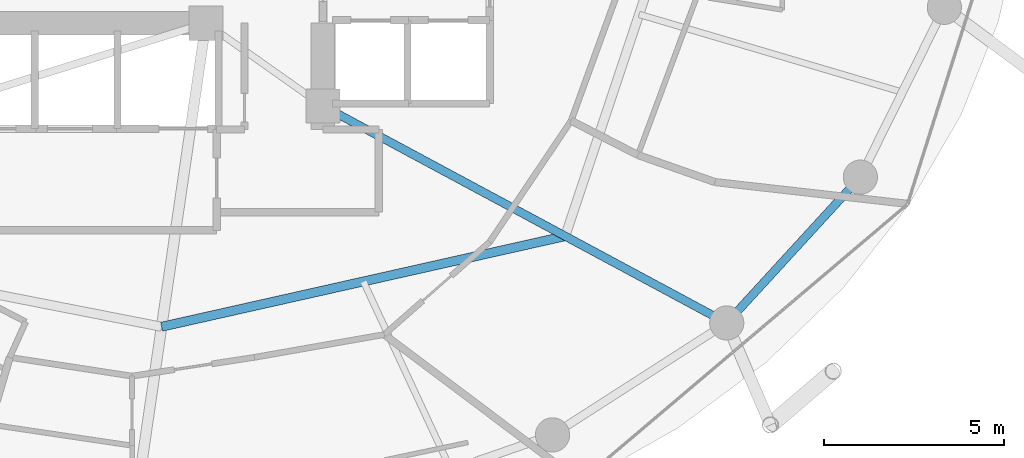
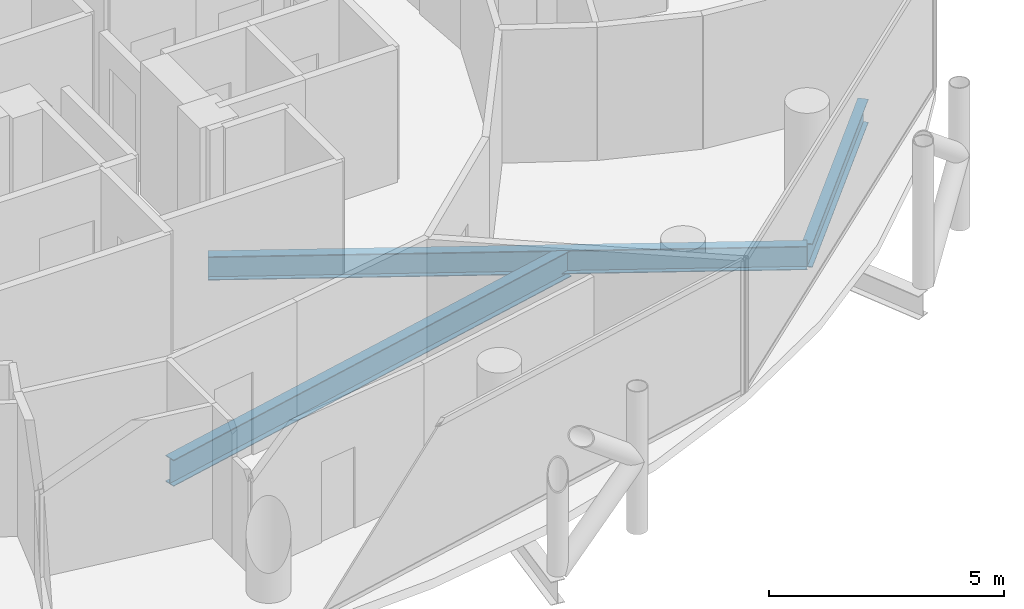
# One storey, part 9 of 26: 3 beams.
"""IFC4 building model written with IfcOpenShell, lengths in metres."""

from ifc_helpers import new_model, si_unit, direction, frame, origin, origin_2d, place, context, subcontext, project, spatial, i_section, extrude, material, material_profile, profile_set, type_object, element, save


model = new_model("IFC4")

# Units and contexts
model_context = context("Model", 3, precision=1e-05, world=origin(), true_north=direction((0.0, 1.0)))
body_context = subcontext(model_context, "Body", "Model", "MODEL_VIEW")
ifc_project = project(units=[si_unit("LENGTHUNIT", "METRE"), si_unit("AREAUNIT", "SQUARE_METRE"), si_unit("VOLUMEUNIT", "CUBIC_METRE"), si_unit("PLANEANGLEUNIT", "RADIAN"), si_unit("MASSUNIT", "GRAM", prefix="KILO")], contexts=[model_context])

# Site, building, storey
site_placement = place(None, origin())
site = spatial("IfcSite", under=ifc_project, at=site_placement, CompositionType="ELEMENT")
building_placement = place(site_placement, origin())
building = spatial("IfcBuilding", under=site, at=building_placement, Name="Nuhasar Tower", CompositionType="ELEMENT")
storey_placement = place(building_placement, frame((0.0, 0.0, 136.75)))
storey = spatial("IfcBuildingStorey", under=building, at=storey_placement, Name="L32", CompositionType="ELEMENT", Elevation=136.75)

# Beams
ifc_material = material(Name="Steel S355", Category="steel")
ifc_material_profile_1 = material_profile(ifc_material, i_section(OverallWidth=0.25390625, OverallDepth=0.68408203125, WebThickness=0.012451171875, FlangeThickness=0.018798828125, at=origin_2d()), Name="W27X94")
ifc_profile_set_1 = profile_set([ifc_material_profile_1], Name="Steel S355")
beam_type_1 = type_object("IfcBeamType", Name="BM-INRING-W27X94", PredefinedType="BEAM", material=ifc_profile_set_1)
beam_1_placement = place(storey_placement, frame((39.820068359375, 12.8701171875, -0.592041015625), z_axis=(0.975716159385, 0.219038755282, 0.0), x_axis=(-0.219038755282, 0.975716159385, 0.0)))
element("IfcBeam", 1, at=beam_1_placement, inside=storey, type_object=beam_type_1, Name="L32 Inner Header Beam 02", PredefinedType="BEAM", context=body_context, shape_type="SweptSolid", body=[
    extrude(i_section(OverallWidth=0.25390625, OverallDepth=0.68408203125, WebThickness=0.012451171875, FlangeThickness=0.018798828125, at=origin_2d()), origin(), (0.0, 0.0, 1.0), 11.48583984375),
])
ifc_material_profile_2 = material_profile(ifc_material, i_section(OverallWidth=0.22900390625, OverallDepth=0.612060546875, WebThickness=0.011962890625, FlangeThickness=0.01953125, at=origin_2d()), Name="W24X84")
ifc_profile_set_2 = profile_set([ifc_material_profile_2], Name="Steel S355")
beam_type_2 = type_object("IfcBeamType", Name="BM-RAD-W24X84", PredefinedType="BEAM", material=ifc_profile_set_2)
beam_2_placement = place(storey_placement, frame((44.300048828125, 19.0, -0.555908203125), z_axis=(0.880888386928, -0.473324043098, 0.0), x_axis=(0.473324043098, 0.880888386928, 0.0)))
element("IfcBeam", 2, at=beam_2_placement, inside=storey, type_object=beam_type_2, Name="L32 Radial Floor Girder 03", PredefinedType="BEAM", context=body_context, shape_type="SweptSolid", body=[
    extrude(i_section(OverallWidth=0.22900390625, OverallDepth=0.612060546875, WebThickness=0.011962890625, FlangeThickness=0.01953125, at=origin_2d()), origin(), (0.0, 0.0, 1.0), 12.726806640625),
])
ifc_material_profile_3 = material_profile(ifc_material, i_section(OverallWidth=0.22998046875, OverallDepth=0.616943359375, WebThickness=0.01318359375, FlangeThickness=0.022216796875, at=origin_2d()), Name="W24X94")
ifc_profile_set_3 = profile_set([ifc_material_profile_3], Name="Steel S355")
beam_type_3 = type_object("IfcBeamType", Name="BM-RING-W24X94", PredefinedType="SPANDREL", material=ifc_profile_set_3)
beam_3_placement = place(storey_placement, frame((55.510986328125, 12.97607421875, -0.55908203125), z_axis=(0.675676316545, 0.737198423262, 0.0), x_axis=(-0.737198423262, 0.675676316545, 0.0)))
element("IfcBeam", 3, at=beam_3_placement, inside=storey, type_object=beam_type_3, Name="L32 Perimeter Ring Spandrel 22", PredefinedType="SPANDREL", context=body_context, shape_type="SweptSolid", body=[
    extrude(i_section(OverallWidth=0.22998046875, OverallDepth=0.616943359375, WebThickness=0.01318359375, FlangeThickness=0.022216796875, at=origin_2d()), origin(), (0.0, 0.0, 1.0), 5.4921875),
])

save(model, "model.ifc")
